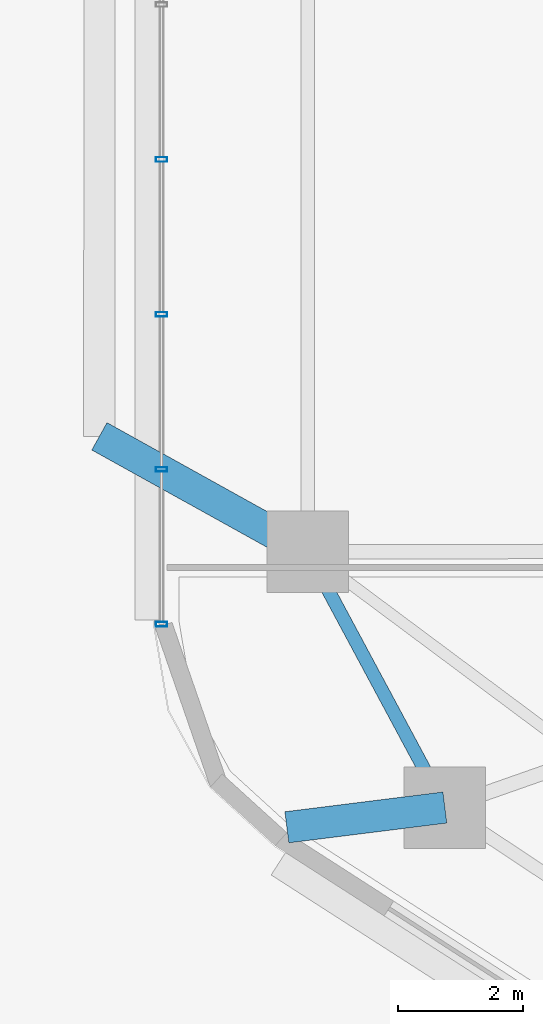
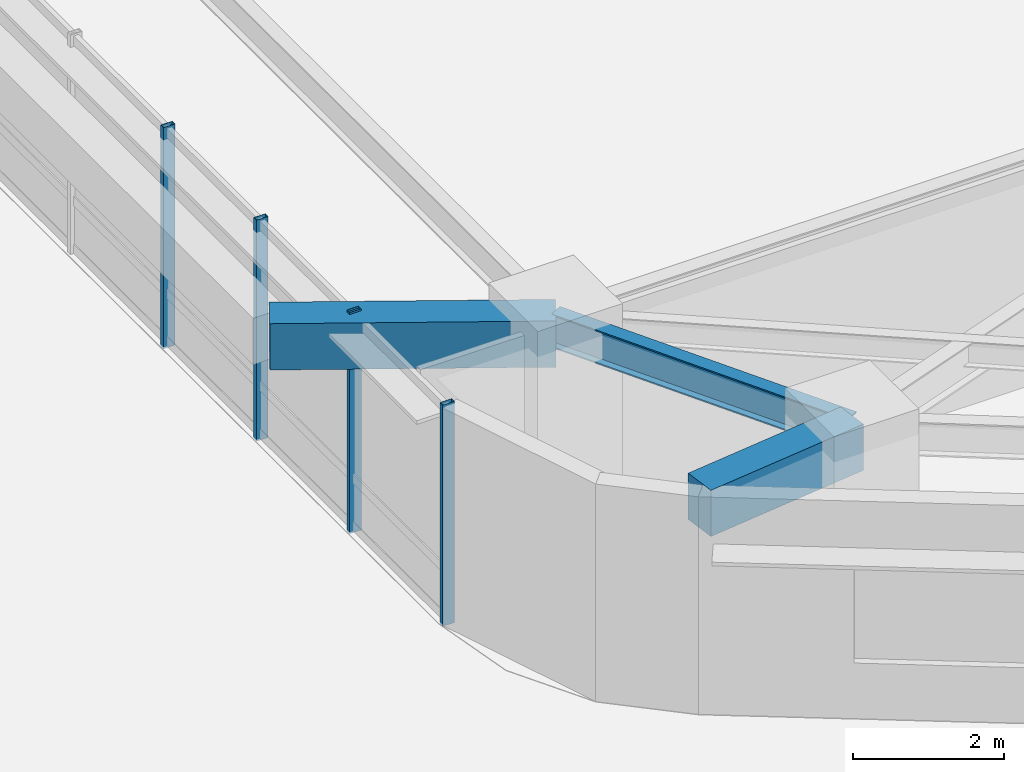
# One storey, part 2 of 20: 4 members, 3 beams, 1 element without a shape of its own.
"""IFC4 building model written with IfcOpenShell, lengths in metres."""

import ifcopenshell
import ifcopenshell.guid

model = None  # the IFC model being written
_history = None  # IfcOwnerHistory: only IFC2X3 demands one
_inside = {}  # id of a spatial element -> (the spatial element, [elements in it])
_under = {}  # id of a project, library or spatial element -> (it, [spatial elements below it])
_declared = {}  # id of a project -> (the project, [libraries it declares])
_typed = {}  # id of a type object -> (the type object, [elements of that type])
_made_of = {}  # id of a material, layer set ... -> (it, [elements and type objects made of it])


def new_model(schema):
    """Start an empty IFC model of exactly this schema.

    Asked for "IFC4X3", IfcOpenShell would pick the latest addendum, in which some entities
    have other attributes; the version numbers below select the first issue.
    IFC2X3 requires an IfcOwnerHistory on every rooted entity: one is made here for all.
    """
    global model, _history
    if schema == "IFC4X3":
        model = ifcopenshell.file(schema_version=(4, 3, 0, 0))
    else:
        model = ifcopenshell.file(schema=schema)
    _inside.clear()
    _under.clear()
    _declared.clear()
    _typed.clear()
    _made_of.clear()
    _history = None
    if model.schema == "IFC2X3":
        org = make("IfcOrganization", Name="unknown")
        user = make(
            "IfcPersonAndOrganization",
            ThePerson=make("IfcPerson", FamilyName="unknown"),
            TheOrganization=org,
        )
        app = make(
            "IfcApplication",
            ApplicationDeveloper=org,
            Version="unknown",
            ApplicationFullName="unknown",
            ApplicationIdentifier="unknown",
        )
        _history = make(
            "IfcOwnerHistory",
            OwningUser=user,
            OwningApplication=app,
            ChangeAction="ADDED",
            CreationDate=0,
        )
    return model


def make(cls, **values):
    """One entity of the class cls with the attributes given. An attribute that is None is left unset."""
    return model.create_entity(
        cls, **{name: value for name, value in values.items() if value is not None}
    )


def rooted(cls, **values):
    """An entity with a GlobalId (a new one), such as an element, a storey or a relation."""
    return make(cls, GlobalId=ifcopenshell.guid.new(), OwnerHistory=_history, **values)


def si_unit(unit_type, name, prefix=None):
    """IfcSIUnit, for example si_unit("LENGTHUNIT", "METRE", prefix="MILLI")."""
    return make("IfcSIUnit", UnitType=unit_type, Prefix=prefix, Name=name)


def assignment(units):
    """IfcUnitAssignment: the units of a project."""
    return None if units is None else make("IfcUnitAssignment", Units=units)


def point(xyz):
    """IfcCartesianPoint."""
    return None if xyz is None else make("IfcCartesianPoint", Coordinates=xyz)


def direction(xyz):
    """IfcDirection."""
    return None if xyz is None else make("IfcDirection", DirectionRatios=xyz)


def frame(location, z_axis=None, x_axis=None):
    """IfcAxis2Placement3D, a coordinate frame: its origin and axes. An axis left out is left unset."""
    return make(
        "IfcAxis2Placement3D",
        Location=point(location),
        Axis=direction(z_axis),
        RefDirection=direction(x_axis),
    )


def frame_2d(location, x_axis=None):
    """IfcAxis2Placement2D, a coordinate frame in the plane: its origin and x axis."""
    return make(
        "IfcAxis2Placement2D", Location=point(location), RefDirection=direction(x_axis)
    )


def origin():
    """The frame at (0, 0, 0) with its axes left unset."""
    return frame((0.0, 0.0, 0.0))


def origin_2d():
    """The frame at (0, 0) in the plane with its x axis left unset."""
    return frame_2d((0.0, 0.0))


def place(relative_to, where):
    """IfcLocalPlacement: puts the frame where relative to a parent placement (None: the world)."""
    return make(
        "IfcLocalPlacement", PlacementRelTo=relative_to, RelativePlacement=where
    )


def context(
    kind, dimensions, precision=None, world=None, true_north=None, identifier=None
):
    """IfcGeometricRepresentationContext, for example the 3D "Model" context."""
    return make(
        "IfcGeometricRepresentationContext",
        ContextIdentifier=identifier,
        ContextType=kind,
        CoordinateSpaceDimension=dimensions,
        Precision=precision,
        WorldCoordinateSystem=world,
        TrueNorth=true_north,
    )


def subcontext(parent, identifier, kind, view, scale=None):
    """IfcGeometricRepresentationSubContext, for example "Body" below "Model"."""
    return make(
        "IfcGeometricRepresentationSubContext",
        ContextIdentifier=identifier,
        ContextType=kind,
        ParentContext=parent,
        TargetScale=scale,
        TargetView=view,
    )


def project(units=None, contexts=None):
    """IfcProject with its units and contexts."""
    return rooted(
        "IfcProject",
        Name="project",
        RepresentationContexts=contexts,
        UnitsInContext=assignment(units),
    )


def spatial(cls, under=None, at=None, **own):
    """A site, building, storey or space (cls), placed at a placement, below another one or the project."""
    s = rooted(cls, ObjectPlacement=at, **own)
    if under is not None:
        _under.setdefault(under.id(), (under, []))[1].append(s)
    return s


def profile(cls, at=None, kind="AREA", **sizes):
    """A parametric profile (cls). Its sizes go by their IFC names, for example OverallWidth=200.0."""
    return make(cls, ProfileType=kind, Position=at, **sizes)


def rectangle(**sizes):
    """IfcRectangleProfileDef."""
    return profile("IfcRectangleProfileDef", **sizes)


def hollow_rectangle(**sizes):
    """IfcRectangleHollowProfileDef."""
    return profile("IfcRectangleHollowProfileDef", **sizes)


def i_section(**sizes):
    """IfcIShapeProfileDef."""
    return profile("IfcIShapeProfileDef", **sizes)


def extrude(swept, where, along, depth):
    """IfcExtrudedAreaSolid: the profile swept, set in the frame where, extruded along a direction by depth."""
    return make(
        "IfcExtrudedAreaSolid",
        SweptArea=swept,
        Position=where,
        ExtrudedDirection=direction(along),
        Depth=depth,
    )


def shape(context_of_items, identifier, shape_type, items):
    """IfcShapeRepresentation: the items that make up one representation, for example the "Body"."""
    return make(
        "IfcShapeRepresentation",
        ContextOfItems=context_of_items,
        RepresentationIdentifier=identifier,
        RepresentationType=shape_type,
        Items=items,
    )


def material(Name=None, Category=None):
    """IfcMaterial."""
    return make("IfcMaterial", Name=Name, Category=Category)


def material_profile(
    of_material, cross_section, Name=None, Category=None, Priority=None
):
    """IfcMaterialProfile: a cross section and its material."""
    return make(
        "IfcMaterialProfile",
        Name=Name,
        Material=of_material,
        Profile=cross_section,
        Priority=Priority,
        Category=Category,
    )


def profile_set(profiles, Name=None, composite=None):
    """IfcMaterialProfileSet."""
    return make(
        "IfcMaterialProfileSet",
        Name=Name,
        MaterialProfiles=profiles,
        CompositeProfile=composite,
    )


def made_of(thing, what):
    """Note that an element or type object is made of a material, layer set ...; save() writes the relation."""
    if what is not None:
        _made_of.setdefault(what.id(), (what, []))[1].append(thing)
    return thing


def type_object(cls, material=None, **own):
    """A type object (cls), such as IfcWallType, which elements share."""
    return made_of(rooted(cls, **own), material)


def element(
    cls,
    number,
    at=None,
    inside=None,
    cuts=None,
    type_object=None,
    material=None,
    context=None,
    identifier="Body",
    shape_type=None,
    held_by="IfcProductDefinitionShape",
    body=None,
    shapes=None,
    **own,
):
    """One element of the class cls, such as IfcWall. Its Tag is "e" and its number.

    at: its placement. inside: the storey or other place that contains it. cuts: it is an
    opening in that element (IfcRelVoidsElement). A single representation is given by context,
    identifier, shape_type and body (its items); several are given by shapes. held_by: the class
    of the entity that holds the representations. save() writes the other relations.
    """
    e = rooted(cls, Tag="e%d" % number, ObjectPlacement=at, **own)
    if body is not None:
        shapes = [shape(context, identifier, shape_type, body)]
    if shapes is not None:
        e.Representation = make(held_by, Representations=shapes)
    if inside is not None:
        _inside.setdefault(inside.id(), (inside, []))[1].append(e)
    if cuts is not None:
        rooted(
            "IfcRelVoidsElement", RelatingBuildingElement=cuts, RelatedOpeningElement=e
        )
    if type_object is not None:
        _typed.setdefault(type_object.id(), (type_object, []))[1].append(e)
    return made_of(e, material)


def aggregate(whole, parts):
    """IfcRelAggregates: a whole, such as a stair, and the parts it consists of."""
    return rooted("IfcRelAggregates", RelatingObject=whole, RelatedObjects=parts)


def save(model, path):
    """Write the relations noted so far, then the file.

    IfcRelAggregates (storeys below a building ...), IfcRelContainedInSpatialStructure (elements
    in a storey), IfcRelDefinesByType, IfcRelAssociatesMaterial and IfcRelDeclares: one each for
    every whole, place, type object, material and project.
    """
    for whole, parts in _under.values():
        aggregate(whole, parts)
    for where, things in _inside.values():
        rooted(
            "IfcRelContainedInSpatialStructure",
            RelatedElements=things,
            RelatingStructure=where,
        )
    for kind, things in _typed.values():
        rooted("IfcRelDefinesByType", RelatedObjects=things, RelatingType=kind)
    for what, things in _made_of.values():
        rooted("IfcRelAssociatesMaterial", RelatedObjects=things, RelatingMaterial=what)
    for by, libraries in _declared.values():
        rooted("IfcRelDeclares", RelatingContext=by, RelatedDefinitions=libraries)
    model.write(path)


model = new_model("IFC4")

# Units and contexts
model_context = context("Model", 3, precision=1e-05, world=origin(), true_north=direction((0.0, 1.0)))
body_context = subcontext(model_context, "Body", "Model", "MODEL_VIEW")
ifc_project = project(units=[si_unit("LENGTHUNIT", "METRE"), si_unit("AREAUNIT", "SQUARE_METRE"), si_unit("VOLUMEUNIT", "CUBIC_METRE"), si_unit("PLANEANGLEUNIT", "RADIAN"), si_unit("MASSUNIT", "GRAM", prefix="KILO")], contexts=[model_context])

# Site, building, storey
site_placement = place(None, origin())
site = spatial("IfcSite", under=ifc_project, at=site_placement, CompositionType="ELEMENT")
building_placement = place(site_placement, origin())
building = spatial("IfcBuilding", under=site, at=building_placement, Name="Zulverin Broadcast Headquarters", CompositionType="ELEMENT")
storey_placement = place(building_placement, frame((0.0, 0.0, 25.0)))
storey = spatial("IfcBuildingStorey", under=building, at=storey_placement, Name="L05", CompositionType="ELEMENT", Elevation=25.0)

# Beams
ifc_material_1 = material(Name="Concrete C40/50", Category="concrete")
ifc_material_profile_1 = material_profile(ifc_material_1, rectangle(XDim=0.5, YDim=0.75, at=origin_2d()), Name="Concrete C40/50", Category="concrete")
ifc_profile_set_1 = profile_set([ifc_material_profile_1], Name="Concrete C40/50")
beam_type_1 = type_object("IfcBeamType", Name="BM-RC-500x750", PredefinedType="BEAM", material=ifc_profile_set_1)
beam_1_placement = place(storey_placement, frame((14.0390625, 13.219970703125, 3.14990234375), z_axis=(-0.992258640565, -0.124188526941, 0.0), x_axis=(0.124188526941, -0.992258640565, 0.0)))
element("IfcBeam", 1, at=beam_1_placement, inside=storey, type_object=beam_type_1, Name="L06 Plate Overhang Back-Spanned Beam OVR-15", PredefinedType="BEAM", context=body_context, shape_type="SweptSolid", body=[
    extrude(rectangle(XDim=0.5, YDim=0.75, at=origin_2d()), origin(), (0.0, 0.0, 1.0), 2.5400390625),
])
beam_2_placement = place(storey_placement, frame((11.85009765625, 17.297607421875, 3.14990234375), z_axis=(-0.874363278793, 0.485271940975, 0.0), x_axis=(-0.485271940975, -0.874363278793, 0.0)))
element("IfcBeam", 2, at=beam_2_placement, inside=storey, type_object=beam_type_1, Name="L06 Balcony Column-Framed Cantilever BAL_W-2", PredefinedType="BEAM", context=body_context, shape_type="SweptSolid", body=[
    extrude(rectangle(XDim=0.5, YDim=0.75, at=origin_2d()), origin(), (0.0, 0.0, 1.0), 3.7998046875),
])
ifc_material_2 = material(Name="Structural steel S355JR", Category="steel")
ifc_material_profile_2 = material_profile(ifc_material_2, i_section(OverallWidth=0.2119140625, OverallDepth=0.54443359375, WebThickness=0.0126953125, FlangeThickness=0.021240234375, at=origin_2d()), Name="Structural steel S355JR", Category="steel")
ifc_profile_set_2 = profile_set([ifc_material_profile_2], Name="Structural steel S355JR")
beam_type_2 = type_object("IfcBeamType", Name="BM-UB-533", PredefinedType="SPANDREL", material=ifc_profile_set_2)
beam_3_placement = place(storey_placement, frame((11.85009765625, 17.297607421875, 3.252685546875), z_axis=(0.472979536362, -0.881073412482, 0.0), x_axis=(0.881073412482, 0.472979536362, 0.0)))
element("IfcBeam", 3, at=beam_3_placement, inside=storey, type_object=beam_type_2, Name="L05 Perimeter Spandrel Beam SP-14", PredefinedType="SPANDREL", context=body_context, shape_type="SweptSolid", body=[
    extrude(i_section(OverallWidth=0.2119140625, OverallDepth=0.54443359375, WebThickness=0.0126953125, FlangeThickness=0.021240234375, at=origin_2d()), origin(), (0.0, 0.0, 1.0), 4.6279296875),
])

# Curtain wall, members
ifc_material_3 = material(Name="Low-zone ribbon unitised curtain wall", Category="aluminium")
curtain_wall_type = type_object("IfcCurtainWallType", Name="CW-TWR-LOW", PredefinedType="USERDEFINED", material=ifc_material_3)
curtain_wall_placement = place(storey_placement, origin())
curtain_wall = element("IfcCurtainWall", 4, at=curtain_wall_placement, inside=storey, type_object=curtain_wall_type, Name="L05 Unitised Curtain Wall CW-L05-E7", ObjectType="UNITISED CURTAIN WALL", PredefinedType="USERDEFINED")
ifc_material_4 = material(Name="Anodized pale-metal aluminium alloy 6063-T6", Category="aluminium")
ifc_material_profile_3 = material_profile(ifc_material_4, hollow_rectangle(XDim=0.074951171875, YDim=0.179931640625, WallThickness=0.0048828125, at=origin_2d()), Name="Anodized pale-metal aluminium alloy 6063-T6", Category="aluminium")
ifc_profile_set_3 = profile_set([ifc_material_profile_3], Name="Anodized pale-metal aluminium alloy 6063-T6")
member_type = type_object("IfcMemberType", Name="CW-MUL-180", PredefinedType="MULLION", material=ifc_profile_set_3)
member_1_placement = place(storey_placement, frame((9.52001953125, 23.55810546875, -0.030029296875), z_axis=(0.0, 0.0, 1.0), x_axis=(0.0, -1.0, 0.0)))
member_1 = element("IfcMember", 5, at=member_1_placement, type_object=member_type, Name="CW-L05-E7 Mullion 04", PredefinedType="MULLION", context=body_context, shape_type="SweptSolid", body=[
    extrude(hollow_rectangle(XDim=0.074951171875, YDim=0.179931640625, WallThickness=0.0048828125, at=origin_2d()), origin(), (0.0, 0.0, 1.0), 3.5849609375),
])
member_2_placement = place(storey_placement, frame((9.52001953125, 21.086669921875, -0.030029296875), z_axis=(0.0, 0.0, 1.0), x_axis=(0.0, -1.0, 0.0)))
member_2 = element("IfcMember", 6, at=member_2_placement, type_object=member_type, Name="CW-L05-E7 Mullion 05", PredefinedType="MULLION", context=body_context, shape_type="SweptSolid", body=[
    extrude(hollow_rectangle(XDim=0.074951171875, YDim=0.179931640625, WallThickness=0.0048828125, at=origin_2d()), origin(), (0.0, 0.0, 1.0), 3.5849609375),
])
member_3_placement = place(storey_placement, frame((9.52001953125, 18.614990234375, -0.030029296875), z_axis=(0.0, 0.0, 1.0), x_axis=(0.0, -1.0, 0.0)))
member_3 = element("IfcMember", 7, at=member_3_placement, type_object=member_type, Name="CW-L05-E7 Mullion 06", PredefinedType="MULLION", context=body_context, shape_type="SweptSolid", body=[
    extrude(hollow_rectangle(XDim=0.074951171875, YDim=0.179931640625, WallThickness=0.0048828125, at=origin_2d()), origin(), (0.0, 0.0, 1.0), 3.5849609375),
])
member_4_placement = place(storey_placement, frame((9.52001953125, 16.1435546875, -0.030029296875), z_axis=(0.0, 0.0, 1.0), x_axis=(0.0, -1.0, 0.0)))
member_4 = element("IfcMember", 8, at=member_4_placement, type_object=member_type, Name="CW-L05-E7 Mullion 07", PredefinedType="MULLION", context=body_context, shape_type="SweptSolid", body=[
    extrude(hollow_rectangle(XDim=0.074951171875, YDim=0.179931640625, WallThickness=0.0048828125, at=origin_2d()), origin(), (0.0, 0.0, 1.0), 3.5849609375),
])
aggregate(curtain_wall, [member_1, member_2, member_3, member_4])

save(model, "model.ifc")
